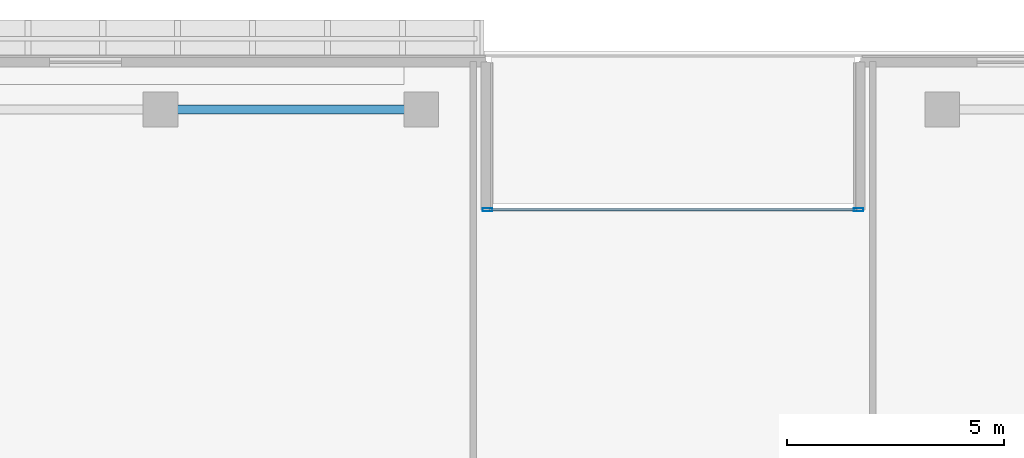
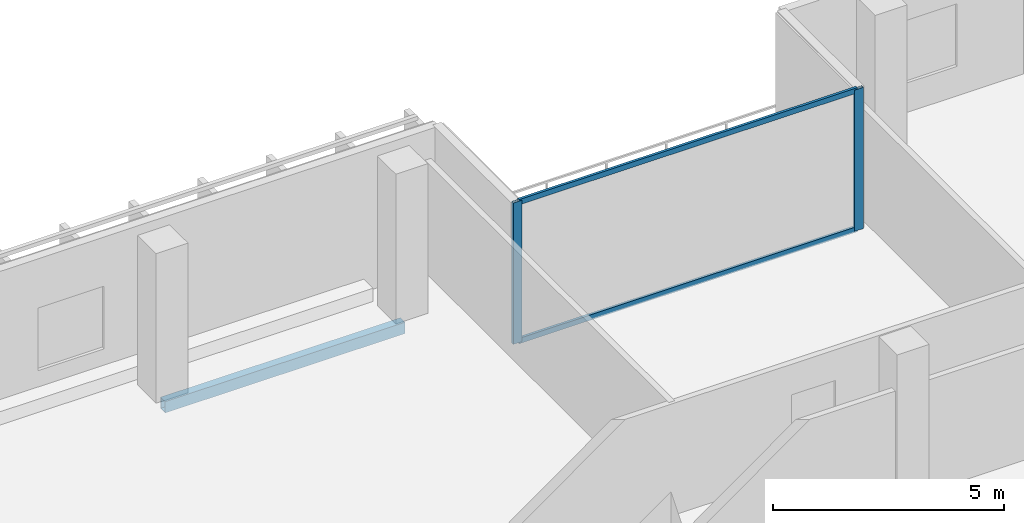
# One storey, part 11 of 26: 4 members, 1 beam, 1 element without a shape of its own.
"""IFC4 building model written with IfcOpenShell, lengths in metres."""

from ifc_helpers import new_model, si_unit, direction, frame, origin, origin_2d, place, context, subcontext, project, spatial, hollow_rectangle, extrude, material, layer, layer_set, material_profile, profile_set, type_object, element, aggregate, save


model = new_model("IFC4")

# Units and contexts
model_context = context("Model", 3, precision=1e-05, world=origin(), true_north=direction((0.0, 1.0)))
body_context = subcontext(model_context, "Body", "Model", "MODEL_VIEW")
ifc_project = project(units=[si_unit("LENGTHUNIT", "METRE"), si_unit("AREAUNIT", "SQUARE_METRE"), si_unit("VOLUMEUNIT", "CUBIC_METRE"), si_unit("PLANEANGLEUNIT", "RADIAN"), si_unit("MASSUNIT", "GRAM", prefix="KILO")], contexts=[model_context])

# Site, building, storey
site_placement = place(None, origin())
site = spatial("IfcSite", under=ifc_project, at=site_placement, CompositionType="ELEMENT")
building_placement = place(site_placement, origin())
building = spatial("IfcBuilding", under=site, at=building_placement, Name="Tanjung Sevakor Pilgrim Tower", CompositionType="ELEMENT")
storey_placement = place(building_placement, frame((0.0, 0.0, 177.8701171875)))
storey = spatial("IfcBuildingStorey", under=building, at=storey_placement, Name="L49", CompositionType="ELEMENT", Elevation=177.8701171875)

# Beam
ifc_material_1 = material(Name="Steel S355J2", Category="steel")
ifc_material_profile_1 = material_profile(ifc_material_1, hollow_rectangle(XDim=0.199951171875, YDim=0.300048828125, WallThickness=0.012451171875, at=origin_2d()))
ifc_profile_set_1 = profile_set([ifc_material_profile_1], Name="Steel S355J2")
beam_type = type_object("IfcBeamType", Name="BM-B-SP3-RHS_300x200x12.5", PredefinedType="SPANDREL", material=ifc_profile_set_1)
beam_placement = place(storey_placement, frame((36.0, 53.949951171875, -0.43017578125), z_axis=(1.0, 0.0, 0.0), x_axis=(0.0, 1.0, 0.0)))
element("IfcBeam", 1, at=beam_placement, inside=storey, type_object=beam_type, Name="L49 Spandrel MAIN N-04", PredefinedType="SPANDREL", context=body_context, shape_type="SweptSolid", body=[
    extrude(hollow_rectangle(XDim=0.199951171875, YDim=0.300048828125, WallThickness=0.012451171875, at=origin_2d()), origin(), (0.0, 0.0, 1.0), 6.0),
])

# Curtain wall, members
ifc_material_2 = material(Name="Aluminium 6063-T6 and Low-E Glass", Category="aluminium")
ifc_layer = layer(ifc_material_2, 0.179931640625)
ifc_layer_set = layer_set([ifc_layer], Name="CW-SYS-CLEFT")
curtain_wall_type = type_object("IfcCurtainWallType", Name="CW-SYS-CLEFT", PredefinedType="NOTDEFINED", material=ifc_layer_set)
curtain_wall_placement = place(storey_placement, origin())
curtain_wall = element("IfcCurtainWall", 2, at=curtain_wall_placement, inside=storey, type_object=curtain_wall_type, Name="L49 Curtain Wall CW-CLF-L49-10", PredefinedType="NOTDEFINED")
ifc_material_3 = material(Name="Aluminium 6063-T6", Category="aluminium")
ifc_material_profile_2 = material_profile(ifc_material_3, hollow_rectangle(XDim=0.074951171875, YDim=0.219970703125, WallThickness=0.0048828125, at=origin_2d()))
ifc_profile_set_2 = profile_set([ifc_material_profile_2], Name="Aluminium 6063-T6")
member_type_1 = type_object("IfcMemberType", Name="TYPE-CWM-2", PredefinedType="MULLION", material=ifc_profile_set_2)
member_1_placement = place(storey_placement, frame((52.072509765625, 51.639892578125, 0.0), z_axis=(0.0, 0.0, 1.0), x_axis=(0.0, -1.0, 0.0)))
member_1 = element("IfcMember", 3, at=member_1_placement, type_object=member_type_1, Name="CW-CLF mullion 1", PredefinedType="MULLION", context=body_context, shape_type="SweptSolid", body=[
    extrude(hollow_rectangle(XDim=0.074951171875, YDim=0.219970703125, WallThickness=0.0048828125, at=origin_2d()), origin(), (0.0, 0.0, 1.0), 3.739990234375),
])
member_2_placement = place(storey_placement, frame((43.527587890625, 51.639892578125, 0.0), z_axis=(0.0, 0.0, 1.0), x_axis=(0.0, -1.0, 0.0)))
member_2 = element("IfcMember", 4, at=member_2_placement, type_object=member_type_1, Name="CW-CLF mullion 2", PredefinedType="MULLION", context=body_context, shape_type="SweptSolid", body=[
    extrude(hollow_rectangle(XDim=0.074951171875, YDim=0.219970703125, WallThickness=0.0048828125, at=origin_2d()), origin(), (0.0, 0.0, 1.0), 3.739990234375),
])
ifc_material_4 = material(Name="Aluminium 6063-T6", Category="aluminium")
ifc_material_profile_3 = material_profile(ifc_material_4, hollow_rectangle(XDim=0.06494140625, YDim=0.139892578125, WallThickness=0.00390625, at=origin_2d()))
ifc_profile_set_3 = profile_set([ifc_material_profile_3], Name="Aluminium 6063-T6")
member_type_2 = type_object("IfcMemberType", Name="TYPE-CWT-1", PredefinedType="USERDEFINED", material=ifc_profile_set_3)
member_3_placement = place(storey_placement, frame((52.034912109375, 51.639892578125, 0.032470703125), z_axis=(-1.0, 0.0, 0.0), x_axis=(0.0, -1.0, 0.0)))
member_3 = element("IfcMember", 5, at=member_3_placement, type_object=member_type_2, Name="CW-CLF transom 1.1", ObjectType="TRANSOM", PredefinedType="USERDEFINED", context=body_context, shape_type="SweptSolid", body=[
    extrude(hollow_rectangle(XDim=0.06494140625, YDim=0.139892578125, WallThickness=0.00390625, at=origin_2d()), origin(), (0.0, 0.0, 1.0), 8.469970703125),
])
member_4_placement = place(storey_placement, frame((52.034912109375, 51.639892578125, 3.707275390625), z_axis=(-1.0, 0.0, 0.0), x_axis=(0.0, -1.0, 0.0)))
member_4 = element("IfcMember", 6, at=member_4_placement, type_object=member_type_2, Name="CW-CLF transom 1.2", ObjectType="TRANSOM", PredefinedType="USERDEFINED", context=body_context, shape_type="SweptSolid", body=[
    extrude(hollow_rectangle(XDim=0.06494140625, YDim=0.139892578125, WallThickness=0.00390625, at=origin_2d()), origin(), (0.0, 0.0, 1.0), 8.469970703125),
])
aggregate(curtain_wall, [member_1, member_2, member_3, member_4])

save(model, "model.ifc")
